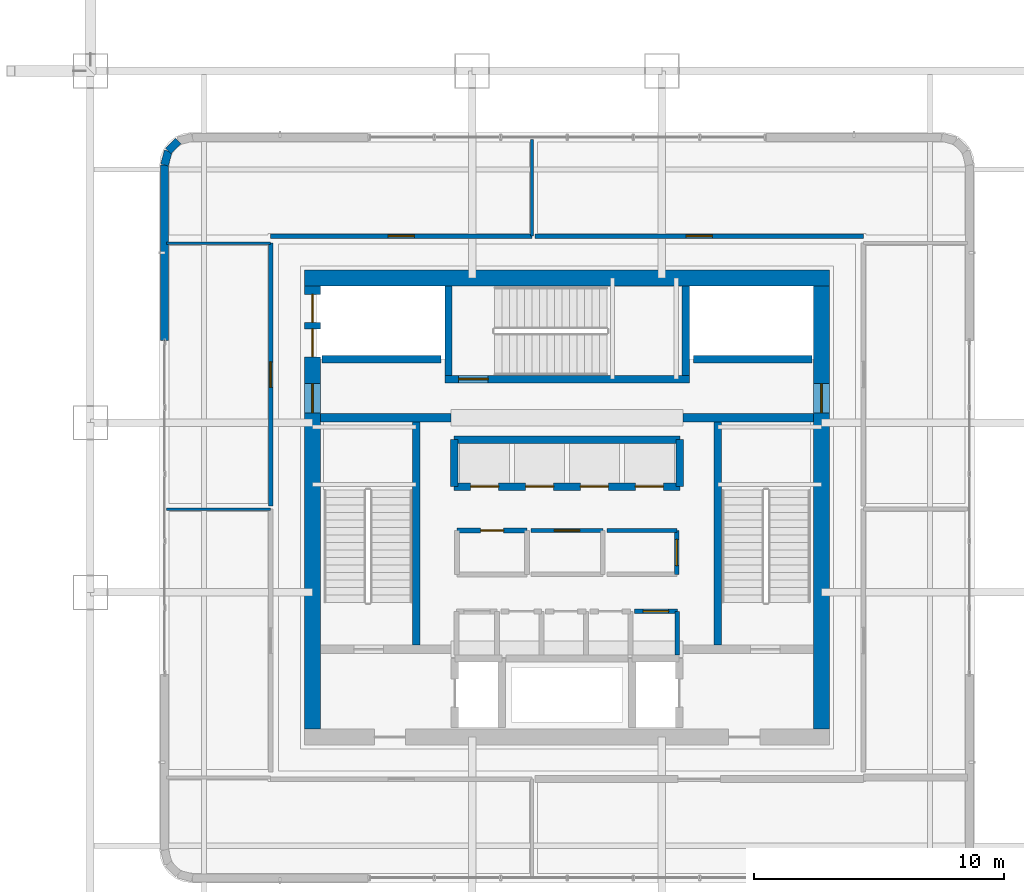
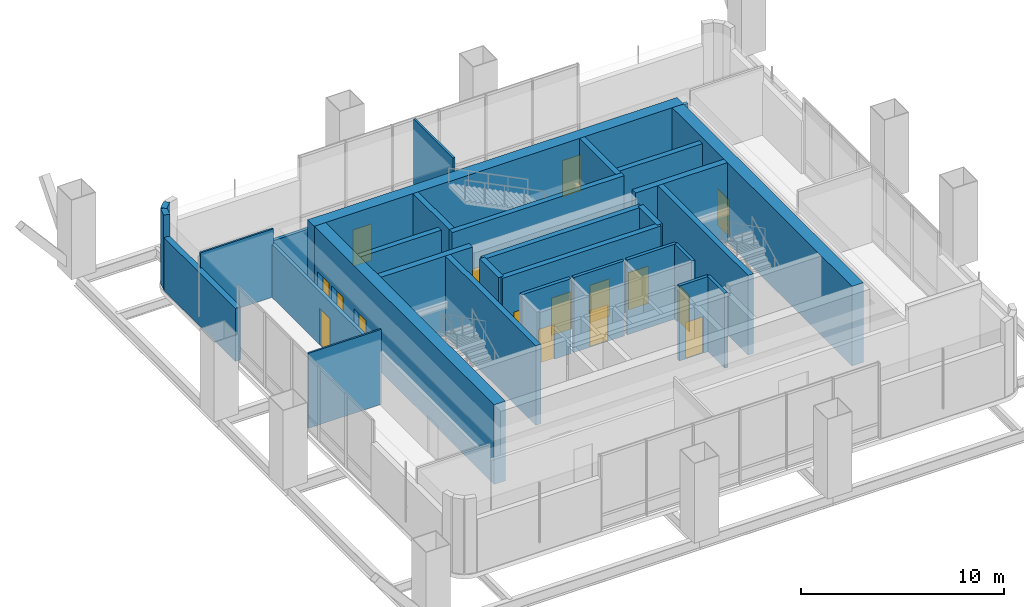
# One storey, part 19 of 30: 31 walls, 16 doors, 16 openings.
"""IFC4 building model written with IfcOpenShell, lengths in metres."""

import ifcopenshell
import ifcopenshell.guid

model = None  # the IFC model being written
_history = None  # IfcOwnerHistory: only IFC2X3 demands one
_inside = {}  # id of a spatial element -> (the spatial element, [elements in it])
_under = {}  # id of a project, library or spatial element -> (it, [spatial elements below it])
_declared = {}  # id of a project -> (the project, [libraries it declares])
_typed = {}  # id of a type object -> (the type object, [elements of that type])
_made_of = {}  # id of a material, layer set ... -> (it, [elements and type objects made of it])


def new_model(schema):
    """Start an empty IFC model of exactly this schema.

    Asked for "IFC4X3", IfcOpenShell would pick the latest addendum, in which some entities
    have other attributes; the version numbers below select the first issue.
    IFC2X3 requires an IfcOwnerHistory on every rooted entity: one is made here for all.
    """
    global model, _history
    if schema == "IFC4X3":
        model = ifcopenshell.file(schema_version=(4, 3, 0, 0))
    else:
        model = ifcopenshell.file(schema=schema)
    _inside.clear()
    _under.clear()
    _declared.clear()
    _typed.clear()
    _made_of.clear()
    _history = None
    if model.schema == "IFC2X3":
        org = make("IfcOrganization", Name="unknown")
        user = make(
            "IfcPersonAndOrganization",
            ThePerson=make("IfcPerson", FamilyName="unknown"),
            TheOrganization=org,
        )
        app = make(
            "IfcApplication",
            ApplicationDeveloper=org,
            Version="unknown",
            ApplicationFullName="unknown",
            ApplicationIdentifier="unknown",
        )
        _history = make(
            "IfcOwnerHistory",
            OwningUser=user,
            OwningApplication=app,
            ChangeAction="ADDED",
            CreationDate=0,
        )
    return model


def make(cls, **values):
    """One entity of the class cls with the attributes given. An attribute that is None is left unset."""
    return model.create_entity(
        cls, **{name: value for name, value in values.items() if value is not None}
    )


def rooted(cls, **values):
    """An entity with a GlobalId (a new one), such as an element, a storey or a relation."""
    return make(cls, GlobalId=ifcopenshell.guid.new(), OwnerHistory=_history, **values)


def si_unit(unit_type, name, prefix=None):
    """IfcSIUnit, for example si_unit("LENGTHUNIT", "METRE", prefix="MILLI")."""
    return make("IfcSIUnit", UnitType=unit_type, Prefix=prefix, Name=name)


def assignment(units):
    """IfcUnitAssignment: the units of a project."""
    return None if units is None else make("IfcUnitAssignment", Units=units)


def point(xyz):
    """IfcCartesianPoint."""
    return None if xyz is None else make("IfcCartesianPoint", Coordinates=xyz)


def direction(xyz):
    """IfcDirection."""
    return None if xyz is None else make("IfcDirection", DirectionRatios=xyz)


def frame(location, z_axis=None, x_axis=None):
    """IfcAxis2Placement3D, a coordinate frame: its origin and axes. An axis left out is left unset."""
    return make(
        "IfcAxis2Placement3D",
        Location=point(location),
        Axis=direction(z_axis),
        RefDirection=direction(x_axis),
    )


def frame_2d(location, x_axis=None):
    """IfcAxis2Placement2D, a coordinate frame in the plane: its origin and x axis."""
    return make(
        "IfcAxis2Placement2D", Location=point(location), RefDirection=direction(x_axis)
    )


def origin():
    """The frame at (0, 0, 0) with its axes left unset."""
    return frame((0.0, 0.0, 0.0))


def place(relative_to, where):
    """IfcLocalPlacement: puts the frame where relative to a parent placement (None: the world)."""
    return make(
        "IfcLocalPlacement", PlacementRelTo=relative_to, RelativePlacement=where
    )


def context(
    kind, dimensions, precision=None, world=None, true_north=None, identifier=None
):
    """IfcGeometricRepresentationContext, for example the 3D "Model" context."""
    return make(
        "IfcGeometricRepresentationContext",
        ContextIdentifier=identifier,
        ContextType=kind,
        CoordinateSpaceDimension=dimensions,
        Precision=precision,
        WorldCoordinateSystem=world,
        TrueNorth=true_north,
    )


def subcontext(parent, identifier, kind, view, scale=None):
    """IfcGeometricRepresentationSubContext, for example "Body" below "Model"."""
    return make(
        "IfcGeometricRepresentationSubContext",
        ContextIdentifier=identifier,
        ContextType=kind,
        ParentContext=parent,
        TargetScale=scale,
        TargetView=view,
    )


def project(units=None, contexts=None):
    """IfcProject with its units and contexts."""
    return rooted(
        "IfcProject",
        Name="project",
        RepresentationContexts=contexts,
        UnitsInContext=assignment(units),
    )


def spatial(cls, under=None, at=None, **own):
    """A site, building, storey or space (cls), placed at a placement, below another one or the project."""
    s = rooted(cls, ObjectPlacement=at, **own)
    if under is not None:
        _under.setdefault(under.id(), (under, []))[1].append(s)
    return s


def profile(cls, at=None, kind="AREA", **sizes):
    """A parametric profile (cls). Its sizes go by their IFC names, for example OverallWidth=200.0."""
    return make(cls, ProfileType=kind, Position=at, **sizes)


def rectangle(**sizes):
    """IfcRectangleProfileDef."""
    return profile("IfcRectangleProfileDef", **sizes)


def extrude(swept, where, along, depth):
    """IfcExtrudedAreaSolid: the profile swept, set in the frame where, extruded along a direction by depth."""
    return make(
        "IfcExtrudedAreaSolid",
        SweptArea=swept,
        Position=where,
        ExtrudedDirection=direction(along),
        Depth=depth,
    )


def shape(context_of_items, identifier, shape_type, items):
    """IfcShapeRepresentation: the items that make up one representation, for example the "Body"."""
    return make(
        "IfcShapeRepresentation",
        ContextOfItems=context_of_items,
        RepresentationIdentifier=identifier,
        RepresentationType=shape_type,
        Items=items,
    )


def material(Name=None, Category=None):
    """IfcMaterial."""
    return make("IfcMaterial", Name=Name, Category=Category)


def layer(
    of_material, thickness, ventilated=None, Name=None, Category=None, Priority=None
):
    """IfcMaterialLayer: one layer of a wall or slab, of a material (None: an air gap)."""
    return make(
        "IfcMaterialLayer",
        Material=of_material,
        LayerThickness=thickness,
        IsVentilated=ventilated,
        Name=Name,
        Category=Category,
        Priority=Priority,
    )


def layer_set(layers, Name=None):
    """IfcMaterialLayerSet."""
    return make("IfcMaterialLayerSet", MaterialLayers=layers, LayerSetName=Name)


def made_of(thing, what):
    """Note that an element or type object is made of a material, layer set ...; save() writes the relation."""
    if what is not None:
        _made_of.setdefault(what.id(), (what, []))[1].append(thing)
    return thing


def type_object(cls, material=None, **own):
    """A type object (cls), such as IfcWallType, which elements share."""
    return made_of(rooted(cls, **own), material)


def element(
    cls,
    number,
    at=None,
    inside=None,
    cuts=None,
    type_object=None,
    material=None,
    context=None,
    identifier="Body",
    shape_type=None,
    held_by="IfcProductDefinitionShape",
    body=None,
    shapes=None,
    **own,
):
    """One element of the class cls, such as IfcWall. Its Tag is "e" and its number.

    at: its placement. inside: the storey or other place that contains it. cuts: it is an
    opening in that element (IfcRelVoidsElement). A single representation is given by context,
    identifier, shape_type and body (its items); several are given by shapes. held_by: the class
    of the entity that holds the representations. save() writes the other relations.
    """
    e = rooted(cls, Tag="e%d" % number, ObjectPlacement=at, **own)
    if body is not None:
        shapes = [shape(context, identifier, shape_type, body)]
    if shapes is not None:
        e.Representation = make(held_by, Representations=shapes)
    if inside is not None:
        _inside.setdefault(inside.id(), (inside, []))[1].append(e)
    if cuts is not None:
        rooted(
            "IfcRelVoidsElement", RelatingBuildingElement=cuts, RelatedOpeningElement=e
        )
    if type_object is not None:
        _typed.setdefault(type_object.id(), (type_object, []))[1].append(e)
    return made_of(e, material)


def fill(opening, filler):
    """IfcRelFillsElement: the door or window that sits in an opening."""
    return rooted(
        "IfcRelFillsElement",
        RelatingOpeningElement=opening,
        RelatedBuildingElement=filler,
    )


def aggregate(whole, parts):
    """IfcRelAggregates: a whole, such as a stair, and the parts it consists of."""
    return rooted("IfcRelAggregates", RelatingObject=whole, RelatedObjects=parts)


def save(model, path):
    """Write the relations noted so far, then the file.

    IfcRelAggregates (storeys below a building ...), IfcRelContainedInSpatialStructure (elements
    in a storey), IfcRelDefinesByType, IfcRelAssociatesMaterial and IfcRelDeclares: one each for
    every whole, place, type object, material and project.
    """
    for whole, parts in _under.values():
        aggregate(whole, parts)
    for where, things in _inside.values():
        rooted(
            "IfcRelContainedInSpatialStructure",
            RelatedElements=things,
            RelatingStructure=where,
        )
    for kind, things in _typed.values():
        rooted("IfcRelDefinesByType", RelatedObjects=things, RelatingType=kind)
    for what, things in _made_of.values():
        rooted("IfcRelAssociatesMaterial", RelatedObjects=things, RelatingMaterial=what)
    for by, libraries in _declared.values():
        rooted("IfcRelDeclares", RelatingContext=by, RelatedDefinitions=libraries)
    model.write(path)


model = new_model("IFC4")

# Units and contexts
model_context = context("Model", 3, precision=1e-05, world=origin(), true_north=direction((0.0, 1.0)))
body_context = subcontext(model_context, "Body", "Model", "MODEL_VIEW")
ifc_project = project(units=[si_unit("LENGTHUNIT", "METRE"), si_unit("AREAUNIT", "SQUARE_METRE"), si_unit("VOLUMEUNIT", "CUBIC_METRE"), si_unit("PLANEANGLEUNIT", "RADIAN"), si_unit("MASSUNIT", "GRAM", prefix="KILO")], contexts=[model_context])

# Site, building, storey
site_placement = place(None, origin())
site = spatial("IfcSite", under=ifc_project, at=site_placement, CompositionType="ELEMENT")
building_placement = place(site_placement, origin())
building = spatial("IfcBuilding", under=site, at=building_placement, Name="Punatoya Terracotta Tower", CompositionType="ELEMENT")
storey_placement = place(building_placement, frame((0.0, 0.0, 135.0)))
storey = spatial("IfcBuildingStorey", under=building, at=storey_placement, Name="L31", CompositionType="ELEMENT", Elevation=135.0)

# Wall, openings, doors
ifc_material_1 = material(Name="Concrete C60/75", Category="concrete")
ifc_layer_1 = layer(ifc_material_1, 0.64990234375)
ifc_layer_set_1 = layer_set([ifc_layer_1], Name="Concrete C60/75")
wall_type_1 = type_object("IfcWallType", Name="WL-COR-650", PredefinedType="SHEAR", material=ifc_layer_set_1)
wall_1_placement = place(storey_placement, frame((-10.199951171875, -8.875, 0.0), z_axis=(0.0, 0.0, 1.0), x_axis=(0.0, 1.0, 0.0)))
wall_1 = element("IfcWall", 1, at=wall_1_placement, inside=storey, type_object=wall_type_1, Name="L31 Core Shear Wall W", PredefinedType="SHEAR", context=body_context, shape_type="SweptSolid", body=[
    extrude(rectangle(XDim=17.75, YDim=0.64990234375, at=frame_2d((8.875, 0.0))), origin(), (0.0, 0.0, 1.0), 4.800048828125),
])
opening_1_placement = place(wall_1_placement, frame((12.6650390625, 0.0, 0.0)))
opening_1 = element("IfcOpeningElement", 2, at=opening_1_placement, cuts=wall_1, Name="Opening SD-01", PredefinedType="OPENING", context=body_context, shape_type="SweptSolid", body=[
    extrude(rectangle(XDim=1.179931640625, YDim=2.199951171875, at=frame_2d((0.58984375, 1.10009765625))), frame((0.0, 0.3349609375, 0.0), z_axis=(0.0, -1.0, 0.0), x_axis=(1.0, 0.0, 0.0)), (0.0, 0.0, 1.0), 0.669921875),
])
opening_2_placement = place(wall_1_placement, frame((14.9150390625, 0.0, 0.0)))
opening_2 = element("IfcOpeningElement", 3, at=opening_2_placement, cuts=wall_1, Name="Opening LD-02", PredefinedType="OPENING", context=body_context, shape_type="SweptSolid", body=[
    extrude(rectangle(XDim=1.1201171875, YDim=2.25, at=frame_2d((0.56005859375, 1.125))), frame((0.0, 0.3349609375, 0.0), z_axis=(0.0, -1.0, 0.0), x_axis=(1.0, 0.0, 0.0)), (0.0, 0.0, 1.0), 0.669921875),
])
opening_3_placement = place(wall_1_placement, frame((16.294921875, 0.0, 0.0)))
opening_3 = element("IfcOpeningElement", 4, at=opening_3_placement, cuts=wall_1, Name="Opening LD-02", PredefinedType="OPENING", context=body_context, shape_type="SweptSolid", body=[
    extrude(rectangle(XDim=1.1201171875, YDim=2.25, at=frame_2d((0.56005859375, 1.125))), frame((0.0, 0.3349609375, 0.0), z_axis=(0.0, -1.0, 0.0), x_axis=(1.0, 0.0, 0.0)), (0.0, 0.0, 1.0), 0.669921875),
])
ifc_material_2 = material(Name="Stainless Steel Lift Landing Door", Category="steel")
door_type_1 = type_object("IfcDoorType", Name="DR-LND-1120", OperationType="NOTDEFINED", PredefinedType="DOOR", material=ifc_material_2)
door_1_placement = place(opening_2_placement, origin())
door_1 = element("IfcDoor", 5, at=door_1_placement, inside=storey, type_object=door_type_1, Name="L31 Sky-Lobby Shuttle SL-1A Sliding Landing Door", OperationType="DOUBLE_DOOR_SLIDING", OverallHeight=2.25, OverallWidth=1.1201171875, PredefinedType="DOOR", context=body_context, shape_type="SweptSolid", body=[
    extrude(rectangle(XDim=1.1201171875, YDim=2.25, at=frame_2d((0.56005859375, 1.125))), frame((0.0, 0.02490234375, 0.0), z_axis=(0.0, -1.0, 0.0), x_axis=(1.0, 0.0, 0.0)), (0.0, 0.0, 1.0), 0.050048828125),
])
fill(opening_2, door_1)
door_2_placement = place(opening_3_placement, origin())
door_2 = element("IfcDoor", 6, at=door_2_placement, inside=storey, type_object=door_type_1, Name="L31 Sky-Lobby Shuttle SL-1B Sliding Landing Door", OperationType="DOUBLE_DOOR_SLIDING", OverallHeight=2.25, OverallWidth=1.1201171875, PredefinedType="DOOR", context=body_context, shape_type="SweptSolid", body=[
    extrude(rectangle(XDim=1.1201171875, YDim=2.25, at=frame_2d((0.56005859375, 1.125))), frame((0.0, 0.02490234375, 0.0), z_axis=(0.0, -1.0, 0.0), x_axis=(1.0, 0.0, 0.0)), (0.0, 0.0, 1.0), 0.050048828125),
])
fill(opening_3, door_2)
ifc_material_3 = material(Name="Galvanised Steel Pressurized Stair Fire Door", Category="steel")
door_type_2 = type_object("IfcDoorType", Name="DR-STR-1180", OperationType="NOTDEFINED", PredefinedType="DOOR", material=ifc_material_3)
door_3_placement = place(opening_1_placement, origin())
door_3 = element("IfcDoor", 7, at=door_3_placement, inside=storey, type_object=door_type_2, Name="L31 Central Lift Lobby West Fire Door", OperationType="SINGLE_SWING_LEFT", OverallHeight=2.199951171875, OverallWidth=1.179931640625, PredefinedType="DOOR", context=body_context, shape_type="SweptSolid", body=[
    extrude(rectangle(XDim=1.179931640625, YDim=2.199951171875, at=frame_2d((0.58984375, 1.10009765625))), frame((0.0, 0.02490234375, 0.0), z_axis=(0.0, -1.0, 0.0), x_axis=(1.0, 0.0, 0.0)), (0.0, 0.0, 1.0), 0.050048828125),
])
fill(opening_1, door_3)

# Wall
wall_2_placement = place(storey_placement, frame((-10.52490234375, 9.199951171875, 0.0), z_axis=(0.0, 0.0, 1.0), x_axis=(1.0, 0.0, 0.0)))
element("IfcWall", 8, at=wall_2_placement, inside=storey, type_object=wall_type_1, Name="L31 Core Shear Wall N", PredefinedType="SHEAR", context=body_context, shape_type="SweptSolid", body=[
    extrude(rectangle(XDim=21.0498046875, YDim=0.64990234375, at=frame_2d((10.52490234375, 0.0))), origin(), (0.0, 0.0, 1.0), 4.800048828125),
])

# Wall, opening, door
wall_3_placement = place(storey_placement, frame((10.199951171875, 8.875, 0.0), z_axis=(0.0, 0.0, 1.0), x_axis=(0.0, -1.0, 0.0)))
wall_3 = element("IfcWall", 9, at=wall_3_placement, inside=storey, type_object=wall_type_1, Name="L31 Core Shear Wall E", PredefinedType="SHEAR", context=body_context, shape_type="SweptSolid", body=[
    extrude(rectangle(XDim=17.75, YDim=0.64990234375, at=frame_2d((8.875, 0.0))), origin(), (0.0, 0.0, 1.0), 4.800048828125),
])
opening_4_placement = place(wall_3_placement, frame((3.905029296875, 0.0, 0.0)))
opening_4 = element("IfcOpeningElement", 10, at=opening_4_placement, cuts=wall_3, Name="Opening SD-01", PredefinedType="OPENING", context=body_context, shape_type="SweptSolid", body=[
    extrude(rectangle(XDim=1.179931640625, YDim=2.199951171875, at=frame_2d((0.58984375, 1.10009765625))), frame((0.0, 0.3349609375, 0.0), z_axis=(0.0, -1.0, 0.0), x_axis=(1.0, 0.0, 0.0)), (0.0, 0.0, 1.0), 0.669921875),
])
door_4_placement = place(opening_4_placement, origin())
door_4 = element("IfcDoor", 11, at=door_4_placement, inside=storey, type_object=door_type_2, Name="L31 Central Lift Lobby East Fire Door", OperationType="SINGLE_SWING_RIGHT", OverallHeight=2.199951171875, OverallWidth=1.179931640625, PredefinedType="DOOR", context=body_context, shape_type="SweptSolid", body=[
    extrude(rectangle(XDim=1.179931640625, YDim=2.199951171875, at=frame_2d((0.58984375, 1.10009765625))), frame((0.0, 0.02490234375, 0.0), z_axis=(0.0, -1.0, 0.0), x_axis=(1.0, 0.0, 0.0)), (0.0, 0.0, 1.0), 0.050048828125),
])
fill(opening_4, door_4)

# Wall
ifc_material_4 = material(Name="Gypsum Fireboard + Steel Stud", Category="steel")
ifc_layer_2 = layer(ifc_material_4, 0.179931640625)
ifc_layer_set_2 = layer_set([ifc_layer_2], Name="Gypsum Fireboard + Steel Stud")
wall_type_2 = type_object("IfcWallType", Name="WL-CORR-180", PredefinedType="PARTITIONING", material=ifc_layer_set_2)
wall_4_placement = place(storey_placement, frame((4.419921875, -5.89990234375, 0.0), z_axis=(0.0, 0.0, 1.0), x_axis=(0.0, 1.0, 0.0)))
element("IfcWall", 12, at=wall_4_placement, inside=storey, type_object=wall_type_2, Name="L31 Core Focus Booth Partition 10", PredefinedType="PARTITIONING", context=body_context, shape_type="SweptSolid", body=[
    extrude(rectangle(XDim=1.739990234375, YDim=0.179931640625, at=frame_2d((0.8701171875, 0.0))), origin(), (0.0, 0.0, 1.0), 4.52001953125),
])

# Wall, opening, door
wall_5_placement = place(storey_placement, frame((4.419921875, -4.159912109375, 0.0), z_axis=(0.0, 0.0, 1.0), x_axis=(-1.0, 0.0, 0.0)))
wall_5 = element("IfcWall", 13, at=wall_5_placement, inside=storey, type_object=wall_type_2, Name="L31 Core Focus Booth Partition 11", PredefinedType="PARTITIONING", context=body_context, shape_type="SweptSolid", body=[
    extrude(rectangle(XDim=1.719970703125, YDim=0.179931640625, at=frame_2d((0.85986328125, 0.0))), origin(), (0.0, 0.0, 1.0), 4.52001953125),
])
opening_5_placement = place(wall_5_placement, frame((0.35009765625, 0.0, 0.0)))
opening_5 = element("IfcOpeningElement", 14, at=opening_5_placement, cuts=wall_5, Name="Opening MD-01", PredefinedType="OPENING", context=body_context, shape_type="SweptSolid", body=[
    extrude(rectangle(XDim=1.02001953125, YDim=2.199951171875, at=frame_2d((0.510009765625, 1.10009765625))), frame((0.0, 0.099853515625, 0.0), z_axis=(0.0, -1.0, 0.0), x_axis=(1.0, 0.0, 0.0)), (0.0, 0.0, 1.0), 0.199951171875),
])
ifc_material_5 = material(Name="Aluminium + Acoustic Glass Leaf", Category="aluminium")
door_type_3 = type_object("IfcDoorType", Name="DR-MTG-1020", OperationType="NOTDEFINED", PredefinedType="DOOR", material=ifc_material_5)
door_5_placement = place(opening_5_placement, origin())
door_5 = element("IfcDoor", 15, at=door_5_placement, inside=storey, type_object=door_type_3, Name="L31 Focus Booth Door", OperationType="SINGLE_SWING_RIGHT", OverallHeight=2.199951171875, OverallWidth=1.02001953125, PredefinedType="DOOR", context=body_context, shape_type="SweptSolid", body=[
    extrude(rectangle(XDim=1.02001953125, YDim=2.199951171875, at=frame_2d((0.510009765625, 1.10009765625))), frame((0.0, 0.02490234375, 0.0), z_axis=(0.0, -1.0, 0.0), x_axis=(1.0, 0.0, 0.0)), (0.0, 0.0, 1.0), 0.050048828125),
])
fill(opening_5, door_5)

wall_6_placement = place(storey_placement, frame((1.43994140625, -0.919921875, 0.0), z_axis=(0.0, 0.0, 1.0), x_axis=(-1.0, 0.0, 0.0)))
wall_6 = element("IfcWall", 16, at=wall_6_placement, inside=storey, type_object=wall_type_2, Name="L31 Center Core Briefing Pod Partition 17", PredefinedType="PARTITIONING", context=body_context, shape_type="SweptSolid", body=[
    extrude(rectangle(XDim=2.8798828125, YDim=0.179931640625, at=frame_2d((1.43994140625, 0.0))), origin(), (0.0, 0.0, 1.0), 4.52001953125),
])
opening_6_placement = place(wall_6_placement, frame((0.929931640625, 0.0, 0.0)))
opening_6 = element("IfcOpeningElement", 17, at=opening_6_placement, cuts=wall_6, Name="Opening MD-01", PredefinedType="OPENING", context=body_context, shape_type="SweptSolid", body=[
    extrude(rectangle(XDim=1.02001953125, YDim=2.199951171875, at=frame_2d((0.510009765625, 1.10009765625))), frame((0.0, 0.099853515625, 0.0), z_axis=(0.0, -1.0, 0.0), x_axis=(1.0, 0.0, 0.0)), (0.0, 0.0, 1.0), 0.199951171875),
])
door_6_placement = place(opening_6_placement, origin())
door_6 = element("IfcDoor", 18, at=door_6_placement, inside=storey, type_object=door_type_3, Name="L31 Center Briefing Pod Door", OperationType="SINGLE_SWING_RIGHT", OverallHeight=2.199951171875, OverallWidth=1.02001953125, PredefinedType="DOOR", context=body_context, shape_type="SweptSolid", body=[
    extrude(rectangle(XDim=1.02001953125, YDim=2.199951171875, at=frame_2d((0.510009765625, 1.10009765625))), frame((0.0, 0.02490234375, 0.0), z_axis=(0.0, -1.0, 0.0), x_axis=(1.0, 0.0, 0.0)), (0.0, 0.0, 1.0), 0.050048828125),
])
fill(opening_6, door_6)

wall_7_placement = place(storey_placement, frame((4.39990234375, -2.679931640625, 0.0), z_axis=(0.0, 0.0, 1.0), x_axis=(0.0, 1.0, 0.0)))
wall_7 = element("IfcWall", 19, at=wall_7_placement, inside=storey, type_object=wall_type_2, Name="L31 Right Core Copy Room Partition 19", PredefinedType="PARTITIONING", context=body_context, shape_type="SweptSolid", body=[
    extrude(rectangle(XDim=1.760009765625, YDim=0.179931640625, at=frame_2d((0.8798828125, 0.0))), origin(), (0.0, 0.0, 1.0), 4.52001953125),
])
opening_7_placement = place(wall_7_placement, frame((0.35498046875, 0.0, 0.0)))
opening_7 = element("IfcOpeningElement", 20, at=opening_7_placement, cuts=wall_7, Name="Opening OD-01", PredefinedType="OPENING", context=body_context, shape_type="SweptSolid", body=[
    extrude(rectangle(XDim=1.050048828125, YDim=2.199951171875, at=frame_2d((0.52490234375, 1.10009765625))), frame((0.0, 0.099853515625, 0.0), z_axis=(0.0, -1.0, 0.0), x_axis=(1.0, 0.0, 0.0)), (0.0, 0.0, 1.0), 0.199951171875),
])
ifc_material_6 = material(Name="Bengal Teak Solid-Core Leaf")
door_type_4 = type_object("IfcDoorType", Name="DR-OFF-1050", OperationType="NOTDEFINED", PredefinedType="DOOR", material=ifc_material_6)
door_7_placement = place(opening_7_placement, origin())
door_7 = element("IfcDoor", 21, at=door_7_placement, inside=storey, type_object=door_type_4, Name="L31 Right Copy Room Door", OperationType="SINGLE_SWING_LEFT", OverallHeight=2.199951171875, OverallWidth=1.050048828125, PredefinedType="DOOR", context=body_context, shape_type="SweptSolid", body=[
    extrude(rectangle(XDim=1.050048828125, YDim=2.199951171875, at=frame_2d((0.52490234375, 1.10009765625))), frame((0.0, 0.02490234375, 0.0), z_axis=(0.0, -1.0, 0.0), x_axis=(1.0, 0.0, 0.0)), (0.0, 0.0, 1.0), 0.050048828125),
])
fill(opening_7, door_7)

# Wall
wall_8_placement = place(storey_placement, frame((4.39990234375, -0.919921875, 0.0), z_axis=(0.0, 0.0, 1.0), x_axis=(-1.0, 0.0, 0.0)))
element("IfcWall", 22, at=wall_8_placement, inside=storey, type_object=wall_type_2, Name="L31 Right Core Copy Room Partition 20", PredefinedType="PARTITIONING", context=body_context, shape_type="SweptSolid", body=[
    extrude(rectangle(XDim=2.7998046875, YDim=0.179931640625, at=frame_2d((1.39990234375, 0.0))), origin(), (0.0, 0.0, 1.0), 4.52001953125),
])

# Wall, opening, door
wall_9_placement = place(storey_placement, frame((-11.8798828125, 10.60009765625, 0.0), z_axis=(0.0, 0.0, 1.0), x_axis=(0.0, -1.0, 0.0)))
wall_9 = element("IfcWall", 23, at=wall_9_placement, inside=storey, type_object=wall_type_2, Name="L31 Collaborative Seminar Room Partition 32", PredefinedType="PARTITIONING", context=body_context, shape_type="SweptSolid", body=[
    extrude(rectangle(XDim=10.5400390625, YDim=0.179931640625, at=frame_2d((5.27001953125, 0.0))), origin(), (0.0, 0.0, 1.0), 3.194091796875),
])
opening_8_placement = place(wall_9_placement, frame((4.760009765625, 0.0, 0.0)))
opening_8 = element("IfcOpeningElement", 24, at=opening_8_placement, cuts=wall_9, Name="Opening MD-01", PredefinedType="OPENING", context=body_context, shape_type="SweptSolid", body=[
    extrude(rectangle(XDim=1.02001953125, YDim=2.199951171875, at=frame_2d((0.510009765625, 1.10009765625))), frame((0.0, 0.099853515625, 0.0), z_axis=(0.0, -1.0, 0.0), x_axis=(1.0, 0.0, 0.0)), (0.0, 0.0, 1.0), 0.199951171875),
])
door_8_placement = place(opening_8_placement, origin())
door_8 = element("IfcDoor", 25, at=door_8_placement, inside=storey, type_object=door_type_3, Name="L31 Collaborative Seminar Room Door", OperationType="SINGLE_SWING_RIGHT", OverallHeight=2.199951171875, OverallWidth=1.02001953125, PredefinedType="DOOR", context=body_context, shape_type="SweptSolid", body=[
    extrude(rectangle(XDim=1.02001953125, YDim=2.199951171875, at=frame_2d((0.510009765625, 1.10009765625))), frame((0.0, 0.02490234375, 0.0), z_axis=(0.0, -1.0, 0.0), x_axis=(1.0, 0.0, 0.0)), (0.0, 0.0, 1.0), 0.050048828125),
])
fill(opening_8, door_8)

wall_10_placement = place(storey_placement, frame((-1.406005859375, 10.8798828125, 0.0), z_axis=(0.0, 0.0, 1.0), x_axis=(-1.0, 0.0, 0.0)))
wall_10 = element("IfcWall", 26, at=wall_10_placement, inside=storey, type_object=wall_type_2, Name="L31 Digital Reference Library Partition 36", PredefinedType="PARTITIONING", context=body_context, shape_type="SweptSolid", body=[
    extrude(rectangle(XDim=10.473876953125, YDim=0.179931640625, at=frame_2d((5.23681640625, 0.0))), origin(), (0.0, 0.0, 1.0), 3.194091796875),
])
opening_9_placement = place(wall_10_placement, frame((4.7119140625, 0.0, 0.0)))
opening_9 = element("IfcOpeningElement", 27, at=opening_9_placement, cuts=wall_10, Name="Opening OD-01", PredefinedType="OPENING", context=body_context, shape_type="SweptSolid", body=[
    extrude(rectangle(XDim=1.050048828125, YDim=2.199951171875, at=frame_2d((0.52490234375, 1.10009765625))), frame((0.0, 0.099853515625, 0.0), z_axis=(0.0, -1.0, 0.0), x_axis=(1.0, 0.0, 0.0)), (0.0, 0.0, 1.0), 0.199951171875),
])
door_9_placement = place(opening_9_placement, origin())
door_9 = element("IfcDoor", 28, at=door_9_placement, inside=storey, type_object=door_type_4, Name="L31 Digital Reference Library Door", OperationType="SINGLE_SWING_RIGHT", OverallHeight=2.199951171875, OverallWidth=1.050048828125, PredefinedType="DOOR", context=body_context, shape_type="SweptSolid", body=[
    extrude(rectangle(XDim=1.050048828125, YDim=2.199951171875, at=frame_2d((0.52490234375, 1.10009765625))), frame((0.0, 0.02490234375, 0.0), z_axis=(0.0, -1.0, 0.0), x_axis=(1.0, 0.0, 0.0)), (0.0, 0.0, 1.0), 0.050048828125),
])
fill(opening_9, door_9)

wall_11_placement = place(storey_placement, frame((11.8798828125, 10.8798828125, 0.0), z_axis=(0.0, 0.0, 1.0), x_axis=(-1.0, 0.0, 0.0)))
wall_11 = element("IfcWall", 29, at=wall_11_placement, inside=storey, type_object=wall_type_2, Name="L31 Quantitative Practice Office Partition 37", PredefinedType="PARTITIONING", context=body_context, shape_type="SweptSolid", body=[
    extrude(rectangle(XDim=13.165771484375, YDim=0.179931640625, at=frame_2d((6.5830078125, 0.0))), origin(), (0.0, 0.0, 1.0), 3.194091796875),
])
opening_10_placement = place(wall_11_placement, frame((6.05810546875, 0.0, 0.0)))
opening_10 = element("IfcOpeningElement", 30, at=opening_10_placement, cuts=wall_11, Name="Opening OD-01", PredefinedType="OPENING", context=body_context, shape_type="SweptSolid", body=[
    extrude(rectangle(XDim=1.050048828125, YDim=2.199951171875, at=frame_2d((0.52490234375, 1.10009765625))), frame((0.0, 0.099853515625, 0.0), z_axis=(0.0, -1.0, 0.0), x_axis=(1.0, 0.0, 0.0)), (0.0, 0.0, 1.0), 0.199951171875),
])
door_10_placement = place(opening_10_placement, origin())
door_10 = element("IfcDoor", 31, at=door_10_placement, inside=storey, type_object=door_type_4, Name="L31 Quantitative Practice Office Door", OperationType="SINGLE_SWING_LEFT", OverallHeight=2.199951171875, OverallWidth=1.050048828125, PredefinedType="DOOR", context=body_context, shape_type="SweptSolid", body=[
    extrude(rectangle(XDim=1.050048828125, YDim=2.199951171875, at=frame_2d((0.52490234375, 1.10009765625))), frame((0.0, 0.02490234375, 0.0), z_axis=(0.0, -1.0, 0.0), x_axis=(1.0, 0.0, 0.0)), (0.0, 0.0, 1.0), 0.050048828125),
])
fill(opening_10, door_10)

# Walls
ifc_material_7 = material(Name="Precast concrete C40/50", Category="concrete")
ifc_layer_3 = layer(ifc_material_7, 0.320068359375)
ifc_layer_set_3 = layer_set([ifc_layer_3], Name="Precast concrete C40/50")
wall_type_3 = type_object("IfcWallType", Name="WL-EXT-320", PredefinedType="SOLIDWALL", material=ifc_layer_set_3)
wall_12_placement = place(storey_placement, frame((-15.5791015625, 14.691162109375, 0.0), z_axis=(0.0, 0.0, 1.0), x_axis=(-0.707106781187, -0.707106781187, 0.0)))
element("IfcWall", 32, at=wall_12_placement, inside=storey, type_object=wall_type_3, Name="L31 Rounded Terracotta Corner Pier 11", PredefinedType="SOLIDWALL", context=body_context, shape_type="SweptSolid", body=[
    extrude(rectangle(XDim=0.568603515625, YDim=0.320068359375, at=frame_2d((0.2841796875, 0.0))), origin(), (0.0, 0.0, 1.0), 4.52001953125),
])
wall_13_placement = place(storey_placement, frame((-15.981201171875, 14.2890625, 0.0), z_axis=(0.0, 0.0, 1.0), x_axis=(-0.255650250031, -0.966769336325, 0.0)))
element("IfcWall", 33, at=wall_13_placement, inside=storey, type_object=wall_type_3, Name="L31 Rounded Terracotta Corner Pier 12", PredefinedType="SOLIDWALL", context=body_context, shape_type="SweptSolid", body=[
    extrude(rectangle(XDim=0.58154296875, YDim=0.320068359375, at=frame_2d((0.290771484375, 0.0))), origin(), (0.0, 0.0, 1.0), 4.52001953125),
])
wall_14_placement = place(storey_placement, frame((-16.1298828125, 13.726806640625, 0.0), z_axis=(0.0, 0.0, 1.0), x_axis=(0.0, -1.0, 0.0)))
element("IfcWall", 34, at=wall_14_placement, inside=storey, type_object=wall_type_3, Name="L31 Terracotta Braced Facade Wall W1", PredefinedType="SOLIDWALL", context=body_context, shape_type="SweptSolid", body=[
    extrude(rectangle(XDim=7.036865234375, YDim=0.320068359375, at=frame_2d((3.5185546875, 0.0))), origin(), (0.0, 0.0, 1.0), 3.194091796875),
])
ifc_material_8 = material(Name="Aluminium Framed Acoustic Glass Partition", Category="aluminium")
ifc_layer_4 = layer(ifc_material_8, 0.10009765625)
ifc_layer_set_4 = layer_set([ifc_layer_4], Name="Aluminium Framed Acoustic Glass Partition")
wall_type_4 = type_object("IfcWallType", Name="WL-GLZ-100", PredefinedType="PARTITIONING", material=ifc_layer_set_4)
wall_15_placement = place(storey_placement, frame((-16.050048828125, -0.06005859375, 0.0), z_axis=(0.0, 0.0, 1.0), x_axis=(1.0, 0.0, 0.0)))
element("IfcWall", 35, at=wall_15_placement, inside=storey, type_object=wall_type_4, Name="L31 Client Symposium Boardroom Partition 27", PredefinedType="PARTITIONING", context=body_context, shape_type="SweptSolid", body=[
    extrude(rectangle(XDim=4.170166015625, YDim=0.10009765625, at=frame_2d((2.0849609375, 0.0))), origin(), (0.0, 0.0, 1.0), 4.52001953125),
])
wall_16_placement = place(storey_placement, frame((-16.050048828125, 10.60009765625, 0.0), z_axis=(0.0, 0.0, 1.0), x_axis=(1.0, 0.0, 0.0)))
element("IfcWall", 36, at=wall_16_placement, inside=storey, type_object=wall_type_4, Name="L31 Collaborative Seminar Room Partition 31", PredefinedType="PARTITIONING", context=body_context, shape_type="SweptSolid", body=[
    extrude(rectangle(XDim=4.170166015625, YDim=0.10009765625, at=frame_2d((2.0849609375, 0.0))), origin(), (0.0, 0.0, 1.0), 4.114013671875),
])

# Wall, opening, door
ifc_material_9 = material(Name="Concrete C40/50", Category="concrete")
ifc_layer_5 = layer(ifc_material_9, 0.199951171875)
ifc_layer_set_5 = layer_set([ifc_layer_5], Name="Concrete C40/50")
wall_type_5 = type_object("IfcWallType", Name="WL-INT-200", PredefinedType="SOLIDWALL", material=ifc_layer_set_5)
wall_17_placement = place(storey_placement, frame((-1.60009765625, -0.919921875, 0.0), z_axis=(0.0, 0.0, 1.0), x_axis=(-1.0, 0.0, 0.0)))
wall_17 = element("IfcWall", 37, at=wall_17_placement, inside=storey, type_object=wall_type_5, Name="L31 Left Core Store Partition 13", PredefinedType="SOLIDWALL", context=body_context, shape_type="SweptSolid", body=[
    extrude(rectangle(XDim=2.7998046875, YDim=0.199951171875, at=frame_2d((1.39990234375, 0.0))), origin(), (0.0, 0.0, 1.0), 4.52001953125),
])
opening_11_placement = place(wall_17_placement, frame((0.93994140625, 0.0, 0.0)))
opening_11 = element("IfcOpeningElement", 38, at=opening_11_placement, cuts=wall_17, Name="Opening FD-R1", PredefinedType="OPENING", context=body_context, shape_type="SweptSolid", body=[
    extrude(rectangle(XDim=0.919921875, YDim=2.10009765625, at=frame_2d((0.4599609375, 1.050048828125))), frame((0.0, 0.10986328125, 0.0), z_axis=(0.0, -1.0, 0.0), x_axis=(1.0, 0.0, 0.0)), (0.0, 0.0, 1.0), 0.219970703125),
])
ifc_material_10 = material(Name="Galvanised Steel Riser Fire Access Door", Category="steel")
door_type_5 = type_object("IfcDoorType", Name="DR-RSR-920", OperationType="NOTDEFINED", PredefinedType="DOOR", material=ifc_material_10)
door_11_placement = place(opening_11_placement, origin())
door_11 = element("IfcDoor", 39, at=door_11_placement, inside=storey, type_object=door_type_5, Name="L31 Left Core Store Fire Door", OperationType="SINGLE_SWING_LEFT", OverallHeight=2.10009765625, OverallWidth=0.919921875, PredefinedType="DOOR", context=body_context, shape_type="SweptSolid", body=[
    extrude(rectangle(XDim=0.919921875, YDim=2.10009765625, at=frame_2d((0.4599609375, 1.050048828125))), frame((0.0, 0.02490234375, 0.0), z_axis=(0.0, -1.0, 0.0), x_axis=(1.0, 0.0, 0.0)), (0.0, 0.0, 1.0), 0.050048828125),
])
fill(opening_11, door_11)

# Walls
ifc_material_11 = material(Name="Gypsum Partition + Steel Stud", Category="steel")
ifc_layer_6 = layer(ifc_material_11, 0.1201171875)
ifc_layer_set_6 = layer_set([ifc_layer_6], Name="Gypsum Partition + Steel Stud")
wall_type_6 = type_object("IfcWallType", Name="WL-OFF-120", PredefinedType="PARTITIONING", material=ifc_layer_set_6)
wall_18_placement = place(storey_placement, frame((-1.406005859375, 14.760009765625, 0.0), z_axis=(0.0, 0.0, 1.0), x_axis=(0.0, -1.0, 0.0)))
element("IfcWall", 40, at=wall_18_placement, inside=storey, type_object=wall_type_6, Name="L31 Digital Reference Library Partition 35", PredefinedType="PARTITIONING", context=body_context, shape_type="SweptSolid", body=[
    extrude(rectangle(XDim=3.880126953125, YDim=0.1201171875, at=frame_2d((1.93994140625, 0.0))), origin(), (0.0, 0.0, 1.0), 4.52001953125),
])
ifc_layer_7 = layer(ifc_material_9, 0.300048828125)
ifc_layer_set_7 = layer_set([ifc_layer_7], Name="Concrete C40/50")
wall_type_7 = type_object("IfcWallType", Name="WL-SHF-300", PredefinedType="SOLIDWALL", material=ifc_layer_set_7)
for number, where, z_axis, x_axis, name in (
    (41, (-6.050048828125, -5.5, 0.0), (0.0, 0.0, 1.0), (0.0, 1.0, 0.0), "L31 Structural Stair Shaft Wall SW-ST1-E"),
    (42, (6.050048828125, 3.449951171875, 0.0), (0.0, 0.0, 1.0), (0.0, -1.0, 0.0), "L31 Structural Stair Shaft Wall SW-ST2-W"),
):
    element("IfcWall", number, at=place(storey_placement, frame(where, z_axis=z_axis, x_axis=x_axis)), inside=storey, type_object=wall_type_7, Name=name, PredefinedType="SOLIDWALL", context=body_context, shape_type="SweptSolid", body=[
        extrude(rectangle(XDim=8.949951171875, YDim=0.300048828125, at=frame_2d((4.47509765625, 0.0))), origin(), (0.0, 0.0, 1.0), 4.800048828125),
    ])
for number, where, z_axis, x_axis, name in (
    (43, (-4.75, 5.300048828125, 0.0), (0.0, 0.0, 1.0), (0.0, 1.0, 0.0), "L31 Structural Stair Shaft Wall SW-ST3-W"),
    (44, (4.75, 8.875, 0.0), (0.0, 0.0, 1.0), (0.0, -1.0, 0.0), "L31 Structural Stair Shaft Wall SW-ST3-E"),
):
    element("IfcWall", number, at=place(storey_placement, frame(where, z_axis=z_axis, x_axis=x_axis)), inside=storey, type_object=wall_type_7, Name=name, PredefinedType="SOLIDWALL", context=body_context, shape_type="SweptSolid", body=[
        extrude(rectangle(XDim=3.574951171875, YDim=0.300048828125, at=frame_2d((1.78759765625, 0.0))), origin(), (0.0, 0.0, 1.0), 4.800048828125),
    ])

# Wall, opening, door
wall_19_placement = place(storey_placement, frame((-4.89990234375, 5.14990234375, 0.0), z_axis=(0.0, 0.0, 1.0), x_axis=(1.0, 0.0, 0.0)))
wall_19 = element("IfcWall", 45, at=wall_19_placement, inside=storey, type_object=wall_type_7, Name="L31 Structural Stair Shaft Wall SW-ST3-S", PredefinedType="SOLIDWALL", context=body_context, shape_type="SweptSolid", body=[
    extrude(rectangle(XDim=9.7998046875, YDim=0.300048828125, at=frame_2d((4.89990234375, 0.0))), origin(), (0.0, 0.0, 1.0), 4.800048828125),
])
opening_12_placement = place(wall_19_placement, frame((0.56005859375, 0.0, 0.0)))
opening_12 = element("IfcOpeningElement", 46, at=opening_12_placement, cuts=wall_19, Name="Opening SD-01", PredefinedType="OPENING", context=body_context, shape_type="SweptSolid", body=[
    extrude(rectangle(XDim=1.179931640625, YDim=2.199951171875, at=frame_2d((0.58984375, 1.10009765625))), frame((0.0, 0.159912109375, 0.0), z_axis=(0.0, -1.0, 0.0), x_axis=(1.0, 0.0, 0.0)), (0.0, 0.0, 1.0), 0.320068359375),
])
door_12_placement = place(opening_12_placement, origin())
door_12 = element("IfcDoor", 47, at=door_12_placement, inside=storey, type_object=door_type_2, Name="L31 Stair ST-3 Core Lobby Fire Door", OperationType="SINGLE_SWING_LEFT", OverallHeight=2.199951171875, OverallWidth=1.179931640625, PredefinedType="DOOR", context=body_context, shape_type="SweptSolid", body=[
    extrude(rectangle(XDim=1.179931640625, YDim=2.199951171875, at=frame_2d((0.58984375, 1.10009765625))), frame((0.0, 0.02490234375, 0.0), z_axis=(0.0, -1.0, 0.0), x_axis=(1.0, 0.0, 0.0)), (0.0, 0.0, 1.0), 0.050048828125),
])
fill(opening_12, door_12)

# Wall, openings, doors
wall_20_placement = place(storey_placement, frame((-4.52001953125, 0.840087890625, 0.0), z_axis=(0.0, 0.0, 1.0), x_axis=(1.0, 0.0, 0.0)))
wall_20 = element("IfcWall", 48, at=wall_20_placement, inside=storey, type_object=wall_type_7, Name="L31 North Lift Bank Front Shaft Wall", PredefinedType="SOLIDWALL", context=body_context, shape_type="SweptSolid", body=[
    extrude(rectangle(XDim=9.0400390625, YDim=0.300048828125, at=frame_2d((4.52001953125, 0.0))), origin(), (0.0, 0.0, 1.0), 4.52001953125),
])
opening_13_placement = place(wall_20_placement, frame((0.659912109375, 0.0, 0.0)))
opening_13 = element("IfcOpeningElement", 49, at=opening_13_placement, cuts=wall_20, Name="Opening LD-02", PredefinedType="OPENING", context=body_context, shape_type="SweptSolid", body=[
    extrude(rectangle(XDim=1.1201171875, YDim=2.25, at=frame_2d((0.56005859375, 1.125))), frame((0.0, 0.159912109375, 0.0), z_axis=(0.0, -1.0, 0.0), x_axis=(1.0, 0.0, 0.0)), (0.0, 0.0, 1.0), 0.320068359375),
])
opening_14_placement = place(wall_20_placement, frame((2.860107421875, 0.0, 0.0)))
opening_14 = element("IfcOpeningElement", 50, at=opening_14_placement, cuts=wall_20, Name="Opening LD-02", PredefinedType="OPENING", context=body_context, shape_type="SweptSolid", body=[
    extrude(rectangle(XDim=1.1201171875, YDim=2.25, at=frame_2d((0.56005859375, 1.125))), frame((0.0, 0.159912109375, 0.0), z_axis=(0.0, -1.0, 0.0), x_axis=(1.0, 0.0, 0.0)), (0.0, 0.0, 1.0), 0.320068359375),
])
opening_15_placement = place(wall_20_placement, frame((5.06005859375, 0.0, 0.0)))
opening_15 = element("IfcOpeningElement", 51, at=opening_15_placement, cuts=wall_20, Name="Opening LD-02", PredefinedType="OPENING", context=body_context, shape_type="SweptSolid", body=[
    extrude(rectangle(XDim=1.1201171875, YDim=2.25, at=frame_2d((0.56005859375, 1.125))), frame((0.0, 0.159912109375, 0.0), z_axis=(0.0, -1.0, 0.0), x_axis=(1.0, 0.0, 0.0)), (0.0, 0.0, 1.0), 0.320068359375),
])
opening_16_placement = place(wall_20_placement, frame((7.260009765625, 0.0, 0.0)))
opening_16 = element("IfcOpeningElement", 52, at=opening_16_placement, cuts=wall_20, Name="Opening LD-02", PredefinedType="OPENING", context=body_context, shape_type="SweptSolid", body=[
    extrude(rectangle(XDim=1.1201171875, YDim=2.25, at=frame_2d((0.56005859375, 1.125))), frame((0.0, 0.159912109375, 0.0), z_axis=(0.0, -1.0, 0.0), x_axis=(1.0, 0.0, 0.0)), (0.0, 0.0, 1.0), 0.320068359375),
])
door_13_placement = place(opening_13_placement, origin())
door_13 = element("IfcDoor", 53, at=door_13_placement, inside=storey, type_object=door_type_1, Name="L31 Lift PL-M1 Sliding Landing Door", OperationType="DOUBLE_DOOR_SLIDING", OverallHeight=2.25, OverallWidth=1.1201171875, PredefinedType="DOOR", context=body_context, shape_type="SweptSolid", body=[
    extrude(rectangle(XDim=1.1201171875, YDim=2.25, at=frame_2d((0.56005859375, 1.125))), frame((0.0, 0.02490234375, 0.0), z_axis=(0.0, -1.0, 0.0), x_axis=(1.0, 0.0, 0.0)), (0.0, 0.0, 1.0), 0.050048828125),
])
fill(opening_13, door_13)
door_14_placement = place(opening_14_placement, origin())
door_14 = element("IfcDoor", 54, at=door_14_placement, inside=storey, type_object=door_type_1, Name="L31 Lift PL-M2 Sliding Landing Door", OperationType="DOUBLE_DOOR_SLIDING", OverallHeight=2.25, OverallWidth=1.1201171875, PredefinedType="DOOR", context=body_context, shape_type="SweptSolid", body=[
    extrude(rectangle(XDim=1.1201171875, YDim=2.25, at=frame_2d((0.56005859375, 1.125))), frame((0.0, 0.02490234375, 0.0), z_axis=(0.0, -1.0, 0.0), x_axis=(1.0, 0.0, 0.0)), (0.0, 0.0, 1.0), 0.050048828125),
])
fill(opening_14, door_14)
door_15_placement = place(opening_15_placement, origin())
door_15 = element("IfcDoor", 55, at=door_15_placement, inside=storey, type_object=door_type_1, Name="L31 Lift PL-M3 Sliding Landing Door", OperationType="DOUBLE_DOOR_SLIDING", OverallHeight=2.25, OverallWidth=1.1201171875, PredefinedType="DOOR", context=body_context, shape_type="SweptSolid", body=[
    extrude(rectangle(XDim=1.1201171875, YDim=2.25, at=frame_2d((0.56005859375, 1.125))), frame((0.0, 0.02490234375, 0.0), z_axis=(0.0, -1.0, 0.0), x_axis=(1.0, 0.0, 0.0)), (0.0, 0.0, 1.0), 0.050048828125),
])
fill(opening_15, door_15)
door_16_placement = place(opening_16_placement, origin())
door_16 = element("IfcDoor", 56, at=door_16_placement, inside=storey, type_object=door_type_1, Name="L31 Lift PL-M4 Sliding Landing Door", OperationType="DOUBLE_DOOR_SLIDING", OverallHeight=2.25, OverallWidth=1.1201171875, PredefinedType="DOOR", context=body_context, shape_type="SweptSolid", body=[
    extrude(rectangle(XDim=1.1201171875, YDim=2.25, at=frame_2d((0.56005859375, 1.125))), frame((0.0, 0.02490234375, 0.0), z_axis=(0.0, -1.0, 0.0), x_axis=(1.0, 0.0, 0.0)), (0.0, 0.0, 1.0), 0.050048828125),
])
fill(opening_16, door_16)

# Walls
wall_21_placement = place(storey_placement, frame((-4.52001953125, 2.719970703125, 0.0), z_axis=(0.0, 0.0, 1.0), x_axis=(1.0, 0.0, 0.0)))
element("IfcWall", 57, at=wall_21_placement, inside=storey, type_object=wall_type_7, Name="L31 North Lift Bank Rear Shaft Wall", PredefinedType="SOLIDWALL", context=body_context, shape_type="SweptSolid", body=[
    extrude(rectangle(XDim=9.0400390625, YDim=0.300048828125, at=frame_2d((4.52001953125, 0.0))), origin(), (0.0, 0.0, 1.0), 4.52001953125),
])
for number, where, z_axis, x_axis, name in (
    (58, (-4.52001953125, 0.840087890625, 0.0), (0.0, 0.0, 1.0), (0.0, 1.0, 0.0), "L31 North Lift Bank West End Wall"),
    (59, (4.52001953125, 0.840087890625, 0.0), (0.0, 0.0, 1.0), (0.0, 1.0, 0.0), "L31 North Lift Bank East End Wall"),
):
    element("IfcWall", number, at=place(storey_placement, frame(where, z_axis=z_axis, x_axis=x_axis)), inside=storey, type_object=wall_type_7, Name=name, PredefinedType="SOLIDWALL", context=body_context, shape_type="SweptSolid", body=[
        extrude(rectangle(XDim=1.8798828125, YDim=0.300048828125, at=frame_2d((0.93994140625, 0.0))), origin(), (0.0, 0.0, 1.0), 4.52001953125),
    ])
for number, where, z_axis, x_axis, name in (
    (60, (-9.820068359375, 5.949951171875, 0.0), (0.0, 0.0, 1.0), (1.0, 0.0, 0.0), "L31 Shuttle SL-1 South Hoistway Wall"),
    (61, (5.06005859375, 5.949951171875, 0.0), (0.0, 0.0, 1.0), (1.0, 0.0, 0.0), "L31 Shuttle SL-2 South Hoistway Wall"),
):
    element("IfcWall", number, at=place(storey_placement, frame(where, z_axis=z_axis, x_axis=x_axis)), inside=storey, type_object=wall_type_7, Name=name, PredefinedType="SOLIDWALL", context=body_context, shape_type="SweptSolid", body=[
        extrude(rectangle(XDim=4.760009765625, YDim=0.300048828125, at=frame_2d((2.3798828125, 0.0))), origin(), (0.0, 0.0, 1.0), 4.52001953125),
    ])
ifc_material_12 = material(Name="Concrete C50/60", Category="concrete")
ifc_layer_8 = layer(ifc_material_12, 0.35009765625)
ifc_layer_set_8 = layer_set([ifc_layer_8], Name="Concrete C50/60")
wall_type_8 = type_object("IfcWallType", Name="WL-SHF-350", PredefinedType="SOLIDWALL", material=ifc_layer_set_8)
for number, where, z_axis, x_axis, name in (
    (62, (-9.875, 3.60009765625, 0.0), (0.0, 0.0, 1.0), (1.0, 0.0, 0.0), "L31 Core Web Wall CNW-L"),
    (63, (4.64990234375, 3.60009765625, 0.0), (0.0, 0.0, 1.0), (1.0, 0.0, 0.0), "L31 Core Web Wall CNW-R"),
):
    element("IfcWall", number, at=place(storey_placement, frame(where, z_axis=z_axis, x_axis=x_axis)), inside=storey, type_object=wall_type_8, Name=name, PredefinedType="SOLIDWALL", context=body_context, shape_type="SweptSolid", body=[
        extrude(rectangle(XDim=5.22509765625, YDim=0.35009765625, at=frame_2d((2.612548828125, 0.0))), origin(), (0.0, 0.0, 1.0), 4.800048828125),
    ])

save(model, "model.ifc")
